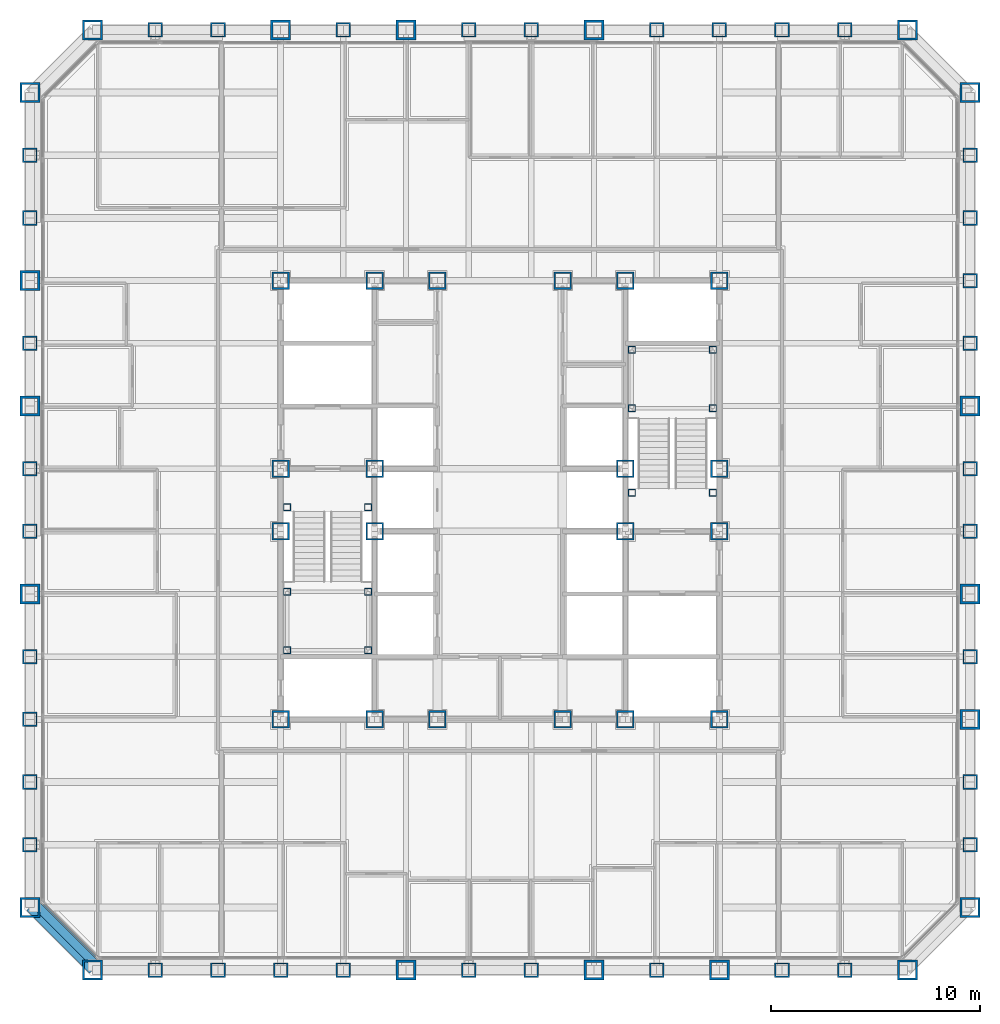
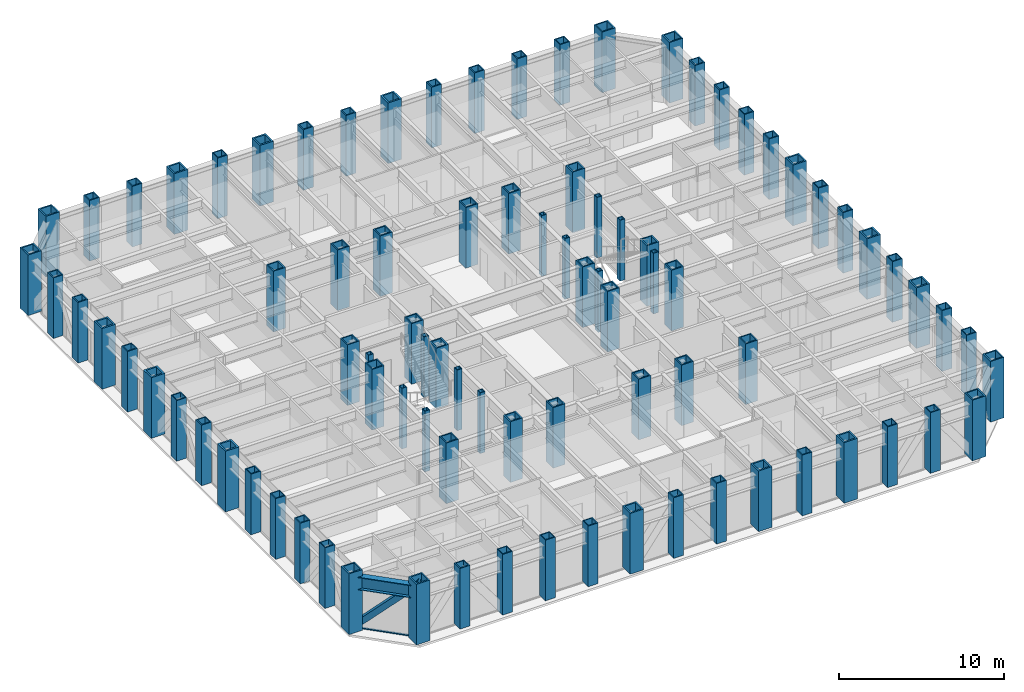
# One storey, part 1 of 16: 88 columns, 2 members, 1 beam, 1 element without a shape of its own.
"""IFC4 building model written with IfcOpenShell, lengths in metres."""

from ifc_helpers import new_model, si_unit, direction, frame, origin, origin_2d, place, context, subcontext, project, spatial, rectangle, hollow_rectangle, i_section, extrude, material, layer, layer_set, material_profile, profile_set, type_object, element, aggregate, save


model = new_model("IFC4")

# Units and contexts
model_context = context("Model", 3, precision=1e-05, world=origin(), true_north=direction((0.0, 1.0)))
body_context = subcontext(model_context, "Body", "Model", "MODEL_VIEW")
ifc_project = project(units=[si_unit("LENGTHUNIT", "METRE"), si_unit("AREAUNIT", "SQUARE_METRE"), si_unit("VOLUMEUNIT", "CUBIC_METRE"), si_unit("PLANEANGLEUNIT", "RADIAN"), si_unit("MASSUNIT", "GRAM", prefix="KILO")], contexts=[model_context])

# Site, building, storey
site_placement = place(None, origin())
site = spatial("IfcSite", under=ifc_project, at=site_placement, CompositionType="ELEMENT")
building_placement = place(site_placement, origin())
building = spatial("IfcBuilding", under=site, at=building_placement, Name="Chuquiago Exchange Tower", CompositionType="ELEMENT")
storey_placement = place(building_placement, frame((0.0, 0.0, 78.300048828125)))
storey = spatial("IfcBuildingStorey", under=building, at=storey_placement, Name="L16", CompositionType="ELEMENT", Elevation=78.300048828125)

# Columns
ifc_material_1 = material(Name="Steel ASTM A572 Grade 50", Category="steel")
ifc_material_profile_1 = material_profile(ifc_material_1, hollow_rectangle(XDim=0.699951171875, YDim=0.699951171875, WallThickness=0.070068359375, at=origin_2d()), Name="BOX700X700X70")
ifc_profile_set_1 = profile_set([ifc_material_profile_1], Name="Steel ASTM A572 Grade 50")
column_type_1 = type_object("IfcColumnType", Name="C2 BOX700X700X70", PredefinedType="COLUMN", material=ifc_profile_set_1)
for number, where, z_axis, x_axis, name in (
    (1, (6.0, 0.0, 0.0), (0.0, 0.0, 1.0), (0.0, -1.0, 0.0), "COL-L16-6_0"),
    (2, (9.0, 0.0, 0.0), (0.0, 0.0, 1.0), (0.0, -1.0, 0.0), "COL-L16-9_0"),
    (3, (12.0, 0.0, 0.0), (0.0, 0.0, 1.0), (0.0, -1.0, 0.0), "COL-L16-12_0"),
    (4, (15.0, 0.0, 0.0), (0.0, 0.0, 1.0), (0.0, -1.0, 0.0), "COL-L16-15_0"),
    (5, (21.0, 0.0, 0.0), (0.0, 0.0, 1.0), (0.0, -1.0, 0.0), "COL-L16-21_0"),
    (6, (24.0, 0.0, 0.0), (0.0, 0.0, 1.0), (0.0, -1.0, 0.0), "COL-L16-24_0"),
    (7, (30.0, 0.0, 0.0), (0.0, 0.0, 1.0), (0.0, -1.0, 0.0), "COL-L16-30_0"),
    (8, (36.0, 0.0, 0.0), (0.0, 0.0, 1.0), (0.0, -1.0, 0.0), "COL-L16-36_0"),
    (9, (39.0, 0.0, 0.0), (0.0, 0.0, 1.0), (0.0, -1.0, 0.0), "COL-L16-39_0"),
    (10, (45.0, 6.0, 0.0), (0.0, 0.0, 1.0), (1.0, 0.0, 0.0), "COL-L16-45_6"),
    (11, (45.0, 9.0, 0.0), (0.0, 0.0, 1.0), (1.0, 0.0, 0.0), "COL-L16-45_9"),
    (12, (45.0, 15.0, 0.0), (0.0, 0.0, 1.0), (1.0, 0.0, 0.0), "COL-L16-45_15"),
    (13, (45.0, 21.0, 0.0), (0.0, 0.0, 1.0), (1.0, 0.0, 0.0), "COL-L16-45_21"),
    (14, (45.0, 24.0, 0.0), (0.0, 0.0, 1.0), (1.0, 0.0, 0.0), "COL-L16-45_24"),
    (15, (45.0, 30.0, 0.0), (0.0, 0.0, 1.0), (1.0, 0.0, 0.0), "COL-L16-45_30"),
    (16, (45.0, 33.0, 0.0), (0.0, 0.0, 1.0), (1.0, 0.0, 0.0), "COL-L16-45_33"),
    (17, (45.0, 36.0, 0.0), (0.0, 0.0, 1.0), (1.0, 0.0, 0.0), "COL-L16-45_36"),
    (18, (45.0, 39.0, 0.0), (0.0, 0.0, 1.0), (1.0, 0.0, 0.0), "COL-L16-45_39"),
    (19, (39.0, 45.0, 0.0), (0.0, 0.0, 1.0), (0.0, 1.0, 0.0), "COL-L16-39_45"),
    (20, (36.0, 45.0, 0.0), (0.0, 0.0, 1.0), (0.0, 1.0, 0.0), "COL-L16-36_45"),
    (21, (33.0, 45.0, 0.0), (0.0, 0.0, 1.0), (0.0, 1.0, 0.0), "COL-L16-33_45"),
    (22, (30.0, 45.0, 0.0), (0.0, 0.0, 1.0), (0.0, 1.0, 0.0), "COL-L16-30_45"),
    (23, (24.0, 45.0, 0.0), (0.0, 0.0, 1.0), (0.0, 1.0, 0.0), "COL-L16-24_45"),
    (24, (21.0, 45.0, 0.0), (0.0, 0.0, 1.0), (0.0, 1.0, 0.0), "COL-L16-21_45"),
    (25, (15.0, 45.0, 0.0), (0.0, 0.0, 1.0), (0.0, 1.0, 0.0), "COL-L16-15_45"),
    (26, (9.0, 45.0, 0.0), (0.0, 0.0, 1.0), (0.0, 1.0, 0.0), "COL-L16-9_45"),
    (27, (6.0, 45.0, 0.0), (0.0, 0.0, 1.0), (0.0, 1.0, 0.0), "COL-L16-6_45"),
    (28, (0.0, 39.0, 0.0), (0.0, 0.0, 1.0), (-1.0, 0.0, 0.0), "COL-L16-0_39"),
    (29, (0.0, 36.0, 0.0), (0.0, 0.0, 1.0), (-1.0, 0.0, 0.0), "COL-L16-0_36"),
    (30, (0.0, 30.0, 0.0), (0.0, 0.0, 1.0), (-1.0, 0.0, 0.0), "COL-L16-0_30"),
    (31, (0.0, 24.0, 0.0), (0.0, 0.0, 1.0), (-1.0, 0.0, 0.0), "COL-L16-0_24"),
    (32, (0.0, 21.0, 0.0), (0.0, 0.0, 1.0), (-1.0, 0.0, 0.0), "COL-L16-0_21"),
    (33, (0.0, 15.0, 0.0), (0.0, 0.0, 1.0), (-1.0, 0.0, 0.0), "COL-L16-0_15"),
    (34, (0.0, 12.0, 0.0), (0.0, 0.0, 1.0), (-1.0, 0.0, 0.0), "COL-L16-0_12"),
    (35, (0.0, 9.0, 0.0), (0.0, 0.0, 1.0), (-1.0, 0.0, 0.0), "COL-L16-0_9"),
    (36, (0.0, 6.0, 0.0), (0.0, 0.0, 1.0), (-1.0, 0.0, 0.0), "COL-L16-0_6"),
):
    element("IfcColumn", number, at=place(storey_placement, frame(where, z_axis=z_axis, x_axis=x_axis)), inside=storey, type_object=column_type_1, Name=name, PredefinedType="COLUMN", context=body_context, shape_type="SweptSolid", body=[
        extrude(hollow_rectangle(XDim=0.699951171875, YDim=0.699951171875, WallThickness=0.070068359375, at=origin_2d()), origin(), (0.0, 0.0, 1.0), 4.5),
    ])
ifc_material_2 = material(Name="Steel ASTM A572 Grade 50", Category="steel")
ifc_material_profile_2 = material_profile(ifc_material_2, hollow_rectangle(XDim=0.85009765625, YDim=0.85009765625, WallThickness=0.0849609375, at=origin_2d()), Name="BOX850X850X85")
ifc_profile_set_2 = profile_set([ifc_material_profile_2], Name="Steel ASTM A572 Grade 50")
column_type_2 = type_object("IfcColumnType", Name="CC2 BOX850X850X85", PredefinedType="COLUMN", material=ifc_profile_set_2)
for number, where, z_axis, x_axis, name in (
    (37, (16.5, 12.0, 0.0), (0.0, 0.0, 1.0), (1.0, 0.0, 0.0), "CCOL-L16-16.5_12"),
    (38, (19.5, 12.0, 0.0), (0.0, 0.0, 1.0), (1.0, 0.0, 0.0), "CCOL-L16-19.5_12"),
    (39, (25.5, 12.0, 0.0), (0.0, 0.0, 1.0), (1.0, 0.0, 0.0), "CCOL-L16-25.5_12"),
    (40, (28.5, 12.0, 0.0), (0.0, 0.0, 1.0), (1.0, 0.0, 0.0), "CCOL-L16-28.5_12"),
    (41, (16.5, 33.0, 0.0), (0.0, 0.0, 1.0), (1.0, 0.0, 0.0), "CCOL-L16-16.5_33"),
    (42, (19.5, 33.0, 0.0), (0.0, 0.0, 1.0), (1.0, 0.0, 0.0), "CCOL-L16-19.5_33"),
    (43, (25.5, 33.0, 0.0), (0.0, 0.0, 1.0), (1.0, 0.0, 0.0), "CCOL-L16-25.5_33"),
    (44, (28.5, 33.0, 0.0), (0.0, 0.0, 1.0), (1.0, 0.0, 0.0), "CCOL-L16-28.5_33"),
    (45, (12.0, 21.0, 0.0), (0.0, 0.0, 1.0), (1.0, 0.0, 0.0), "CCOL-L16-12_21"),
    (46, (12.0, 24.0, 0.0), (0.0, 0.0, 1.0), (1.0, 0.0, 0.0), "CCOL-L16-12_24"),
    (47, (33.0, 21.0, 0.0), (0.0, 0.0, 1.0), (1.0, 0.0, 0.0), "CCOL-L16-33_21"),
    (48, (33.0, 24.0, 0.0), (0.0, 0.0, 1.0), (1.0, 0.0, 0.0), "CCOL-L16-33_24"),
    (49, (16.5, 21.0, 0.0), (0.0, 0.0, 1.0), (1.0, 0.0, 0.0), "CCOL-L16-16.5_21"),
    (50, (16.5, 24.0, 0.0), (0.0, 0.0, 1.0), (1.0, 0.0, 0.0), "CCOL-L16-16.5_24"),
    (51, (28.5, 21.0, 0.0), (0.0, 0.0, 1.0), (1.0, 0.0, 0.0), "CCOL-L16-28.5_21"),
    (52, (28.5, 24.0, 0.0), (0.0, 0.0, 1.0), (1.0, 0.0, 0.0), "CCOL-L16-28.5_24"),
):
    element("IfcColumn", number, at=place(storey_placement, frame(where, z_axis=z_axis, x_axis=x_axis)), inside=storey, type_object=column_type_2, Name=name, PredefinedType="COLUMN", context=body_context, shape_type="SweptSolid", body=[
        extrude(hollow_rectangle(XDim=0.85009765625, YDim=0.85009765625, WallThickness=0.0849609375, at=origin_2d()), origin(), (0.0, 0.0, 1.0), 4.5),
    ])
ifc_material_3 = material(Name="Steel ASTM A572 Grade 50", Category="steel")
ifc_material_profile_3 = material_profile(ifc_material_3, hollow_rectangle(XDim=0.85009765625, YDim=0.85009765625, WallThickness=0.0849609375, at=origin_2d()), Name="BOX850X850X85")
ifc_profile_set_3 = profile_set([ifc_material_profile_3], Name="Steel ASTM A572 Grade 50")
column_type_3 = type_object("IfcColumnType", Name="CC6 BOX850X850X85", PredefinedType="COLUMN", material=ifc_profile_set_3)
for number, where, z_axis, x_axis, name in (
    (53, (12.0, 12.0, 0.0), (0.0, 0.0, 1.0), (1.0, 0.0, 0.0), "CCOL-L16-12_12"),
    (54, (33.0, 12.0, 0.0), (0.0, 0.0, 1.0), (1.0, 0.0, 0.0), "CCOL-L16-33_12"),
    (55, (12.0, 33.0, 0.0), (0.0, 0.0, 1.0), (1.0, 0.0, 0.0), "CCOL-L16-12_33"),
    (56, (33.0, 33.0, 0.0), (0.0, 0.0, 1.0), (1.0, 0.0, 0.0), "CCOL-L16-33_33"),
):
    element("IfcColumn", number, at=place(storey_placement, frame(where, z_axis=z_axis, x_axis=x_axis)), inside=storey, type_object=column_type_3, Name=name, PredefinedType="COLUMN", context=body_context, shape_type="SweptSolid", body=[
        extrude(hollow_rectangle(XDim=0.85009765625, YDim=0.85009765625, WallThickness=0.0849609375, at=origin_2d()), origin(), (0.0, 0.0, 1.0), 4.5),
    ])
ifc_material_4 = material(Name="Steel ASTM A572 Grade 50", Category="steel")
ifc_material_profile_4 = material_profile(ifc_material_4, hollow_rectangle(XDim=0.949951171875, YDim=0.949951171875, WallThickness=0.094970703125, at=origin_2d()), Name="BOX950X950X95")
ifc_profile_set_4 = profile_set([ifc_material_profile_4], Name="Steel ASTM A572 Grade 50")
column_type_4 = type_object("IfcColumnType", Name="CN1 BOX950X950X95", PredefinedType="COLUMN", material=ifc_profile_set_4)
for number, where, z_axis, x_axis, name in (
    (57, (3.0, 0.0, 0.0), (0.0, 0.0, 1.0), (0.0, -1.0, 0.0), "COL-L16-3_0"),
    (58, (42.0, 0.0, 0.0), (0.0, 0.0, 1.0), (0.0, -1.0, 0.0), "COL-L16-42_0"),
    (59, (45.0, 3.0, 0.0), (0.0, 0.0, 1.0), (1.0, 0.0, 0.0), "COL-L16-45_3"),
    (60, (45.0, 42.0, 0.0), (0.0, 0.0, 1.0), (1.0, 0.0, 0.0), "COL-L16-45_42"),
    (61, (42.0, 45.0, 0.0), (0.0, 0.0, 1.0), (0.0, 1.0, 0.0), "COL-L16-42_45"),
    (62, (3.0, 45.0, 0.0), (0.0, 0.0, 1.0), (0.0, 1.0, 0.0), "COL-L16-3_45"),
    (63, (0.0, 42.0, 0.0), (0.0, 0.0, 1.0), (-1.0, 0.0, 0.0), "COL-L16-0_42"),
    (64, (0.0, 3.0, 0.0), (0.0, 0.0, 1.0), (-1.0, 0.0, 0.0), "COL-L16-0_3"),
):
    element("IfcColumn", number, at=place(storey_placement, frame(where, z_axis=z_axis, x_axis=x_axis)), inside=storey, type_object=column_type_4, Name=name, PredefinedType="COLUMN", context=body_context, shape_type="SweptSolid", body=[
        extrude(hollow_rectangle(XDim=0.949951171875, YDim=0.949951171875, WallThickness=0.094970703125, at=origin_2d()), origin(), (0.0, 0.0, 1.0), 4.5),
    ])
ifc_material_5 = material(Name="Steel ASTM A572 Grade 42", Category="steel")
ifc_material_profile_5 = material_profile(ifc_material_5, hollow_rectangle(XDim=0.949951171875, YDim=0.949951171875, WallThickness=0.110107421875, at=origin_2d()), Name="BOX950X950X110")
ifc_profile_set_5 = profile_set([ifc_material_profile_5], Name="Steel ASTM A572 Grade 42")
column_type_5 = type_object("IfcColumnType", Name="CT1 BOX950X950X110", PredefinedType="COLUMN", material=ifc_profile_set_5)
for number, where, z_axis, x_axis, name in (
    (65, (18.0, 0.0, 0.0), (0.0, 0.0, 1.0), (0.0, -1.0, 0.0), "COL-L16-18_0"),
    (66, (27.0, 0.0, 0.0), (0.0, 0.0, 1.0), (0.0, -1.0, 0.0), "COL-L16-27_0"),
    (67, (33.0, 0.0, 0.0), (0.0, 0.0, 1.0), (0.0, -1.0, 0.0), "COL-L16-33_0"),
    (68, (45.0, 12.0, 0.0), (0.0, 0.0, 1.0), (1.0, 0.0, 0.0), "COL-L16-45_12"),
    (69, (45.0, 18.0, 0.0), (0.0, 0.0, 1.0), (1.0, 0.0, 0.0), "COL-L16-45_18"),
    (70, (45.0, 27.0, 0.0), (0.0, 0.0, 1.0), (1.0, 0.0, 0.0), "COL-L16-45_27"),
    (71, (27.0, 45.0, 0.0), (0.0, 0.0, 1.0), (0.0, 1.0, 0.0), "COL-L16-27_45"),
    (72, (18.0, 45.0, 0.0), (0.0, 0.0, 1.0), (0.0, 1.0, 0.0), "COL-L16-18_45"),
    (73, (12.0, 45.0, 0.0), (0.0, 0.0, 1.0), (0.0, 1.0, 0.0), "COL-L16-12_45"),
    (74, (0.0, 33.0, 0.0), (0.0, 0.0, 1.0), (-1.0, 0.0, 0.0), "COL-L16-0_33"),
    (75, (0.0, 27.0, 0.0), (0.0, 0.0, 1.0), (-1.0, 0.0, 0.0), "COL-L16-0_27"),
    (76, (0.0, 18.0, 0.0), (0.0, 0.0, 1.0), (-1.0, 0.0, 0.0), "COL-L16-0_18"),
):
    element("IfcColumn", number, at=place(storey_placement, frame(where, z_axis=z_axis, x_axis=x_axis)), inside=storey, type_object=column_type_5, Name=name, PredefinedType="COLUMN", context=body_context, shape_type="SweptSolid", body=[
        extrude(hollow_rectangle(XDim=0.949951171875, YDim=0.949951171875, WallThickness=0.110107421875, at=origin_2d()), origin(), (0.0, 0.0, 1.0), 4.5),
    ])
ifc_material_6 = material(Name="Steel ASTM A572 Grade 50", Category="steel")
ifc_material_profile_6 = material_profile(ifc_material_6, hollow_rectangle(XDim=0.35009765625, YDim=0.35009765625, WallThickness=0.034912109375, at=origin_2d()), Name="BOX350X350X35")
ifc_profile_set_6 = profile_set([ifc_material_profile_6], Name="Steel ASTM A572 Grade 50")
column_type_6 = type_object("IfcColumnType", Name="PT3 BOX350X350X35", PredefinedType="COLUMN", material=ifc_profile_set_6)
for number, where, z_axis, x_axis, name in (
    (77, (12.31005859375, 15.31005859375, 0.0), (0.0, 0.0, 1.0), (1.0, 0.0, 0.0), "Stair ST1 L16 landing post"),
    (78, (16.18994140625, 15.31005859375, 0.0), (0.0, 0.0, 1.0), (1.0, 0.0, 0.0), "Stair ST1 L16 landing post"),
    (79, (12.31005859375, 18.110107421875, 0.0), (0.0, 0.0, 1.0), (1.0, 0.0, 0.0), "Stair ST1 L16 landing post"),
    (80, (16.18994140625, 18.110107421875, 0.0), (0.0, 0.0, 1.0), (1.0, 0.0, 0.0), "Stair ST1 L16 landing post"),
    (81, (12.31005859375, 22.14990234375, 0.0), (0.0, 0.0, 1.0), (1.0, 0.0, 0.0), "Stair ST1 L16 landing post"),
    (82, (16.18994140625, 22.14990234375, 0.0), (0.0, 0.0, 1.0), (1.0, 0.0, 0.0), "Stair ST1 L16 landing post"),
    (83, (28.81005859375, 29.68994140625, 0.0), (0.0, 0.0, 1.0), (1.0, 0.0, 0.0), "Stair ST2 L16 landing post"),
    (84, (32.68994140625, 29.68994140625, 0.0), (0.0, 0.0, 1.0), (1.0, 0.0, 0.0), "Stair ST2 L16 landing post"),
    (85, (28.81005859375, 26.889892578125, 0.0), (0.0, 0.0, 1.0), (1.0, 0.0, 0.0), "Stair ST2 L16 landing post"),
    (86, (32.68994140625, 26.889892578125, 0.0), (0.0, 0.0, 1.0), (1.0, 0.0, 0.0), "Stair ST2 L16 landing post"),
    (87, (28.81005859375, 22.85009765625, 0.0), (0.0, 0.0, 1.0), (1.0, 0.0, 0.0), "Stair ST2 L16 landing post"),
    (88, (32.68994140625, 22.85009765625, 0.0), (0.0, 0.0, 1.0), (1.0, 0.0, 0.0), "Stair ST2 L16 landing post"),
):
    element("IfcColumn", number, at=place(storey_placement, frame(where, z_axis=z_axis, x_axis=x_axis)), inside=storey, type_object=column_type_6, Name=name, PredefinedType="COLUMN", context=body_context, shape_type="SweptSolid", body=[
        extrude(hollow_rectangle(XDim=0.35009765625, YDim=0.35009765625, WallThickness=0.034912109375, at=origin_2d()), origin(), (0.0, 0.0, 1.0), 4.5),
    ])

# Curtain wall, member
ifc_material_7 = material(Name="Aluminium curtain wall system", Category="aluminium")
ifc_layer = layer(ifc_material_7, 0.199951171875)
ifc_layer_set = layer_set([ifc_layer], Name="CW3 facet curtain wall")
curtain_wall_type = type_object("IfcCurtainWallType", Name="CW3 facet curtain wall", PredefinedType="NOTDEFINED", material=ifc_layer_set)
curtain_wall_placement = place(storey_placement, origin())
curtain_wall = element("IfcCurtainWall", 89, at=curtain_wall_placement, inside=storey, type_object=curtain_wall_type, Name="CW3 curtain wall L16", PredefinedType="NOTDEFINED")
ifc_material_8 = material(Name="Aluminium transom, pale anodised", Category="aluminium")
ifc_material_profile_7 = material_profile(ifc_material_8, rectangle(XDim=0.139892578125, YDim=0.06494140625, at=origin_2d()), Name="AL 140x65")
ifc_profile_set_7 = profile_set([ifc_material_profile_7], Name="Aluminium transom, pale anodised")
member_type_1 = type_object("IfcMemberType", Name="CW3-T transom 65x140", PredefinedType="MULLION", material=ifc_profile_set_7)
member_1_placement = place(storey_placement, frame((0.64599609375, 3.20263671875, -0.267578125), z_axis=(0.707106781187, -0.707106781187, 0.0), x_axis=(0.707106781187, 0.707106781187, 0.0)))
member_1 = element("IfcMember", 90, at=member_1_placement, type_object=member_type_1, Name="CW3 transom 1.1", PredefinedType="MULLION", context=body_context, shape_type="SweptSolid", body=[
    extrude(rectangle(XDim=0.139892578125, YDim=0.06494140625, at=origin_2d()), origin(), (0.0, 0.0, 1.0), 3.61572265625),
])
aggregate(curtain_wall, [member_1])

# Member
ifc_material_9 = material(Name="Steel ASTM A500 Grade C", Category="steel")
ifc_material_profile_8 = material_profile(ifc_material_9, hollow_rectangle(XDim=0.406494140625, YDim=0.406494140625, WallThickness=0.0146484375, at=origin_2d()), Name="HSS16X16X5/8")
ifc_profile_set_8 = profile_set([ifc_material_profile_8], Name="Steel ASTM A500 Grade C")
member_type_2 = type_object("IfcMemberType", Name="LB4 HSS16X16X5/8", PredefinedType="BRACE", material=ifc_profile_set_8)
member_2_placement = place(storey_placement, frame((0.21337890625, 3.21337890625, 0.0), z_axis=(0.512077265487, -0.512077265487, 0.689604051861), x_axis=(0.707106781187, 0.707106781187, 0.0)))
element("IfcMember", 91, at=member_2_placement, inside=storey, type_object=member_type_2, Name="LB-L16-0_3-3_0", PredefinedType="BRACE", context=body_context, shape_type="SweptSolid", body=[
    extrude(hollow_rectangle(XDim=0.406494140625, YDim=0.406494140625, WallThickness=0.0146484375, at=origin_2d()), origin(), (0.0, 0.0, 1.0), 5.8583984375),
])

# Beam
ifc_material_10 = material(Name="Steel ASTM A992", Category="steel")
ifc_material_profile_9 = material_profile(ifc_material_10, i_section(OverallWidth=0.424072265625, OverallDepth=0.947509765625, WebThickness=0.02392578125, FlangeThickness=0.042724609375, at=origin_2d()), Name="W36X302")
ifc_profile_set_9 = profile_set([ifc_material_profile_9], Name="Steel ASTM A992")
beam_type = type_object("IfcBeamType", Name="SP1 W36X302", PredefinedType="SPANDREL", material=ifc_profile_set_9)
beam_placement = place(storey_placement, frame((0.0, 3.0, 3.566162109375), z_axis=(0.707106781187, -0.707106781187, 0.0), x_axis=(0.707106781187, 0.707106781187, 0.0)))
element("IfcBeam", 92, at=beam_placement, inside=storey, type_object=beam_type, Name="SPB-L17-0_3-3_0", PredefinedType="SPANDREL", context=body_context, shape_type="SweptSolid", body=[
    extrude(i_section(OverallWidth=0.424072265625, OverallDepth=0.947509765625, WebThickness=0.02392578125, FlangeThickness=0.042724609375, at=origin_2d()), origin(), (0.0, 0.0, 1.0), 4.24267578125),
])

save(model, "model.ifc")
